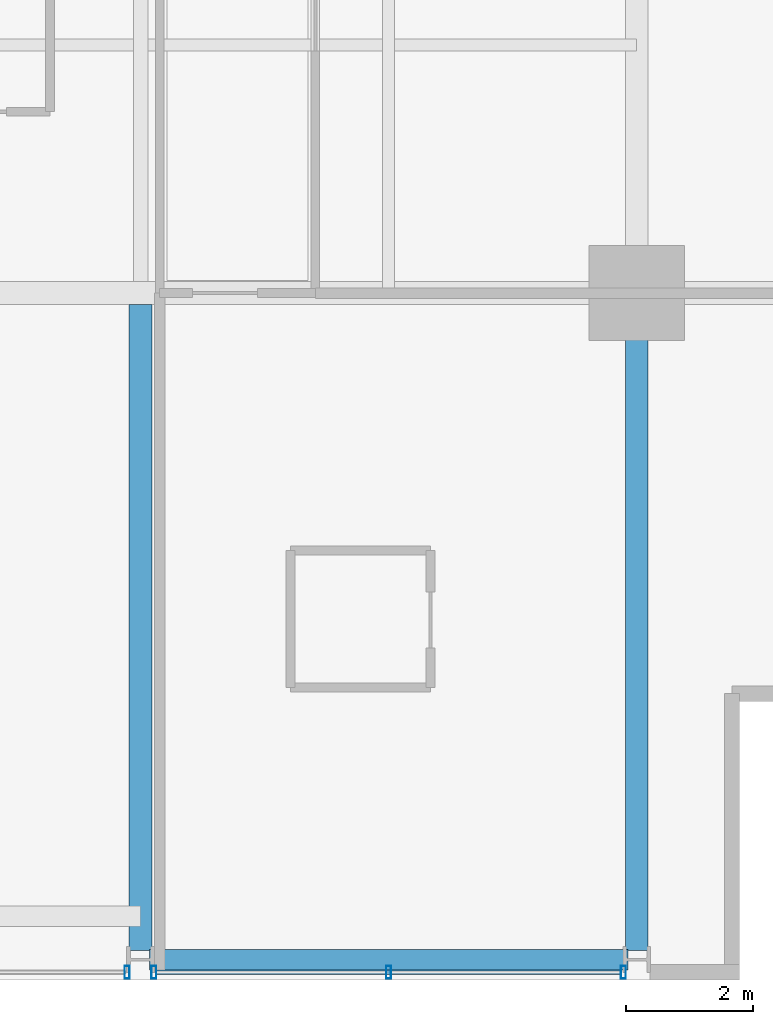
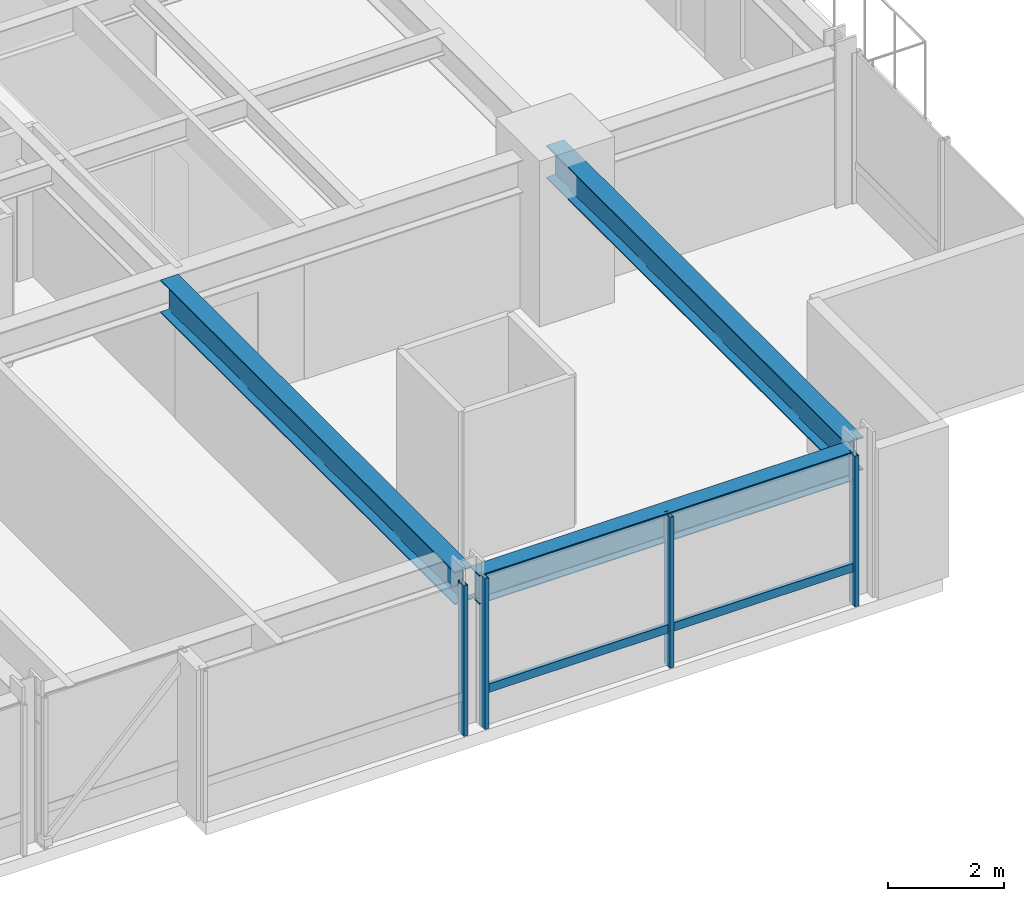
# One storey, part 11 of 35: 5 members, 3 beams, 2 elements without a shape of their own.
"""IFC4 building model written with IfcOpenShell, lengths in metres."""

from ifc_helpers import new_model, si_unit, direction, frame, origin, origin_2d, place, context, subcontext, project, spatial, hollow_rectangle, i_section, extrude, material, layer, layer_set, material_profile, profile_set, type_object, element, aggregate, save


model = new_model("IFC4")

# Units and contexts
model_context = context("Model", 3, precision=1e-05, world=origin(), true_north=direction((0.0, 1.0)))
body_context = subcontext(model_context, "Body", "Model", "MODEL_VIEW")
ifc_project = project(units=[si_unit("LENGTHUNIT", "METRE"), si_unit("AREAUNIT", "SQUARE_METRE"), si_unit("VOLUMEUNIT", "CUBIC_METRE"), si_unit("PLANEANGLEUNIT", "RADIAN"), si_unit("MASSUNIT", "GRAM", prefix="KILO")], contexts=[model_context])

# Site, building, storey
site_placement = place(None, origin())
site = spatial("IfcSite", under=ifc_project, at=site_placement, CompositionType="ELEMENT")
building_placement = place(site_placement, origin())
building = spatial("IfcBuilding", under=site, at=building_placement, Name="Drelvath Grand Hotel", CompositionType="ELEMENT")
storey_placement = place(building_placement, frame((0.0, 0.0, 137.300048828125)))
storey = spatial("IfcBuildingStorey", under=building, at=storey_placement, Name="L35", CompositionType="ELEMENT", Elevation=137.300048828125)

# Curtain wall, member
ifc_material_1 = material(Name="Champagne Bronze Anodised Aluminium Frame", Category="aluminium")
ifc_layer = layer(ifc_material_1, 0.199951171875)
ifc_layer_set = layer_set([ifc_layer], Name="Champagne Bronze Anodised Aluminium Frame")
curtain_wall_type = type_object("IfcCurtainWallType", Name="Stick Curtain Wall CW-03 Champagne Bronze Mid-Rise", PredefinedType="NOTDEFINED", material=ifc_layer_set)
curtain_wall_1_placement = place(storey_placement, origin())
curtain_wall_1 = element("IfcCurtainWall", 1, at=curtain_wall_1_placement, inside=storey, type_object=curtain_wall_type, Name="L35 CW-03 Curtain Wall CW03-L35-SE2", PredefinedType="NOTDEFINED")
ifc_material_profile_1 = material_profile(ifc_material_1, hollow_rectangle(XDim=0.074951171875, YDim=0.179931640625, WallThickness=0.0048828125, at=origin_2d()), Name="HSS180X75X5")
ifc_profile_set_1 = profile_set([ifc_material_profile_1], Name="Champagne Bronze Anodised Aluminium Frame")
member_type_1 = type_object("IfcMemberType", Name="Curtain Wall Horizontal Transom CW-03 HSS180X75X5", PredefinedType="USERDEFINED", material=ifc_profile_set_1)
member_1_placement = place(storey_placement, frame((15.95068359375, 0.1201171875, 0.794921875), z_axis=(-1.0, 0.0, 0.0), x_axis=(0.0, -1.0, 0.0)))
member_1 = element("IfcMember", 2, at=member_1_placement, type_object=member_type_1, Name="CW03-L35-SE2 Sill Transom", ObjectType="TRANSOM", PredefinedType="USERDEFINED", context=body_context, shape_type="SweptSolid", body=[
    extrude(hollow_rectangle(XDim=0.074951171875, YDim=0.179931640625, WallThickness=0.0048828125, at=origin_2d()), origin(), (0.0, 0.0, 1.0), 7.30126953125),
])

curtain_wall_2_placement = place(storey_placement, origin())
curtain_wall_2 = element("IfcCurtainWall", 3, at=curtain_wall_2_placement, inside=storey, type_object=curtain_wall_type, Name="L35 CW-03 Curtain Wall CW03-L35-SE1", PredefinedType="NOTDEFINED")
ifc_material_profile_2 = material_profile(ifc_material_1, hollow_rectangle(XDim=0.080078125, YDim=0.199951171875, WallThickness=0.0048828125, at=origin_2d()), Name="HSS200X80X5")
ifc_profile_set_2 = profile_set([ifc_material_profile_2], Name="Champagne Bronze Anodised Aluminium Frame")
member_type_2 = type_object("IfcMemberType", Name="Curtain Wall Vertical Mullion CW-03 HSS200X80X5", PredefinedType="MULLION", material=ifc_profile_set_2)
member_2_placement = place(storey_placement, frame((8.190673828125, 0.1201171875, 0.0), z_axis=(0.0, 0.0, 1.0), x_axis=(1.0, 0.0, 0.0)))
member_2 = element("IfcMember", 4, at=member_2_placement, type_object=member_type_2, Name="CW03-L35-SE1 Mullion 1", PredefinedType="MULLION", context=body_context, shape_type="SweptSolid", body=[
    extrude(hollow_rectangle(XDim=0.080078125, YDim=0.199951171875, WallThickness=0.0048828125, at=origin_2d()), origin(), (0.0, 0.0, 1.0), 3.179931640625),
])
aggregate(curtain_wall_2, [member_2])

# Member
member_3_placement = place(storey_placement, frame((15.990478515625, 0.1201171875, 0.0), z_axis=(0.0, 0.0, 1.0), x_axis=(1.0, 0.0, 0.0)))
member_3 = element("IfcMember", 5, at=member_3_placement, type_object=member_type_2, Name="CW03-L35-SE2 Mullion 1", PredefinedType="MULLION", context=body_context, shape_type="SweptSolid", body=[
    extrude(hollow_rectangle(XDim=0.080078125, YDim=0.199951171875, WallThickness=0.0048828125, at=origin_2d()), origin(), (0.0, 0.0, 1.0), 3.179931640625),
])

member_4_placement = place(storey_placement, frame((12.300048828125, 0.1201171875, 0.0), z_axis=(0.0, 0.0, 1.0), x_axis=(1.0, 0.0, 0.0)))
member_4 = element("IfcMember", 6, at=member_4_placement, type_object=member_type_2, Name="CW03-L35-SE2 Mullion 2", PredefinedType="MULLION", context=body_context, shape_type="SweptSolid", body=[
    extrude(hollow_rectangle(XDim=0.080078125, YDim=0.199951171875, WallThickness=0.0048828125, at=origin_2d()), origin(), (0.0, 0.0, 1.0), 3.179931640625),
])

member_5_placement = place(storey_placement, frame((8.609375, 0.1201171875, 0.0), z_axis=(0.0, 0.0, 1.0), x_axis=(1.0, 0.0, 0.0)))
member_5 = element("IfcMember", 7, at=member_5_placement, type_object=member_type_2, Name="CW03-L35-SE2 Mullion 3", PredefinedType="MULLION", context=body_context, shape_type="SweptSolid", body=[
    extrude(hollow_rectangle(XDim=0.080078125, YDim=0.199951171875, WallThickness=0.0048828125, at=origin_2d()), origin(), (0.0, 0.0, 1.0), 3.179931640625),
])

aggregate(curtain_wall_1, [member_3, member_4, member_5, member_1])

# Beams
ifc_material_2 = material(Name="Steel ASTM A992 Gr 50", Category="steel")
ifc_material_profile_3 = material_profile(ifc_material_2, i_section(OverallWidth=0.323974609375, OverallDepth=0.611083984375, WebThickness=0.0126953125, FlangeThickness=0.01904296875, FilletRadius=0.02197265625, at=origin_2d()), Name="W24X104")
ifc_profile_set_3 = profile_set([ifc_material_profile_3], Name="Steel ASTM A992 Gr 50")
beam_type_1 = type_object("IfcBeamType", Name="Perimeter Spandrel Beam W24X104", PredefinedType="SPANDREL", material=ifc_profile_set_3)
beam_1_placement = place(storey_placement, frame((8.5400390625, 0.320068359375, 2.874267578125), z_axis=(1.0, 0.0, 0.0), x_axis=(0.0, 1.0, 0.0)))
element("IfcBeam", 8, at=beam_1_placement, inside=storey, type_object=beam_type_1, Name="L35 Spandrel South E", PredefinedType="SPANDREL", context=body_context, shape_type="SweptSolid", body=[
    extrude(i_section(OverallWidth=0.323974609375, OverallDepth=0.611083984375, WebThickness=0.0126953125, FlangeThickness=0.01904296875, FilletRadius=0.02197265625, at=origin_2d()), origin(), (0.0, 0.0, 1.0), 7.52001953125),
])
ifc_material_profile_4 = material_profile(ifc_material_2, i_section(OverallWidth=0.354736328125, OverallDepth=0.695556640625, WebThickness=0.015380859375, FlangeThickness=0.025146484375, FilletRadius=0.02392578125, at=origin_2d()), Name="W27X146")
ifc_profile_set_4 = profile_set([ifc_material_profile_4], Name="Steel ASTM A992 Gr 50")
beam_type_2 = type_object("IfcBeamType", Name="Primary Floor Girder W27X146", PredefinedType="BEAM", material=ifc_profile_set_4)
beam_2_placement = place(storey_placement, frame((16.199951171875, 0.4599609375, 2.83203125), z_axis=(0.0, 1.0, 0.0), x_axis=(-1.0, 0.0, 0.0)))
element("IfcBeam", 9, at=beam_2_placement, inside=storey, type_object=beam_type_2, Name="L35 South Grid Girder 7", PredefinedType="BEAM", context=body_context, shape_type="SweptSolid", body=[
    extrude(i_section(OverallWidth=0.354736328125, OverallDepth=0.695556640625, WebThickness=0.015380859375, FlangeThickness=0.025146484375, FilletRadius=0.02392578125, at=origin_2d()), origin(), (0.0, 0.0, 1.0), 10.340087890625),
])
beam_3_placement = place(storey_placement, frame((8.39990234375, 0.4599609375, 2.83203125), z_axis=(0.0, 1.0, 0.0), x_axis=(-1.0, 0.0, 0.0)))
element("IfcBeam", 10, at=beam_3_placement, inside=storey, type_object=beam_type_2, Name="L35 South Wing Girder 6", PredefinedType="BEAM", context=body_context, shape_type="SweptSolid", body=[
    extrude(i_section(OverallWidth=0.354736328125, OverallDepth=0.695556640625, WebThickness=0.015380859375, FlangeThickness=0.025146484375, FilletRadius=0.02392578125, at=origin_2d()), origin(), (0.0, 0.0, 1.0), 10.16259765625),
])

save(model, "model.ifc")
